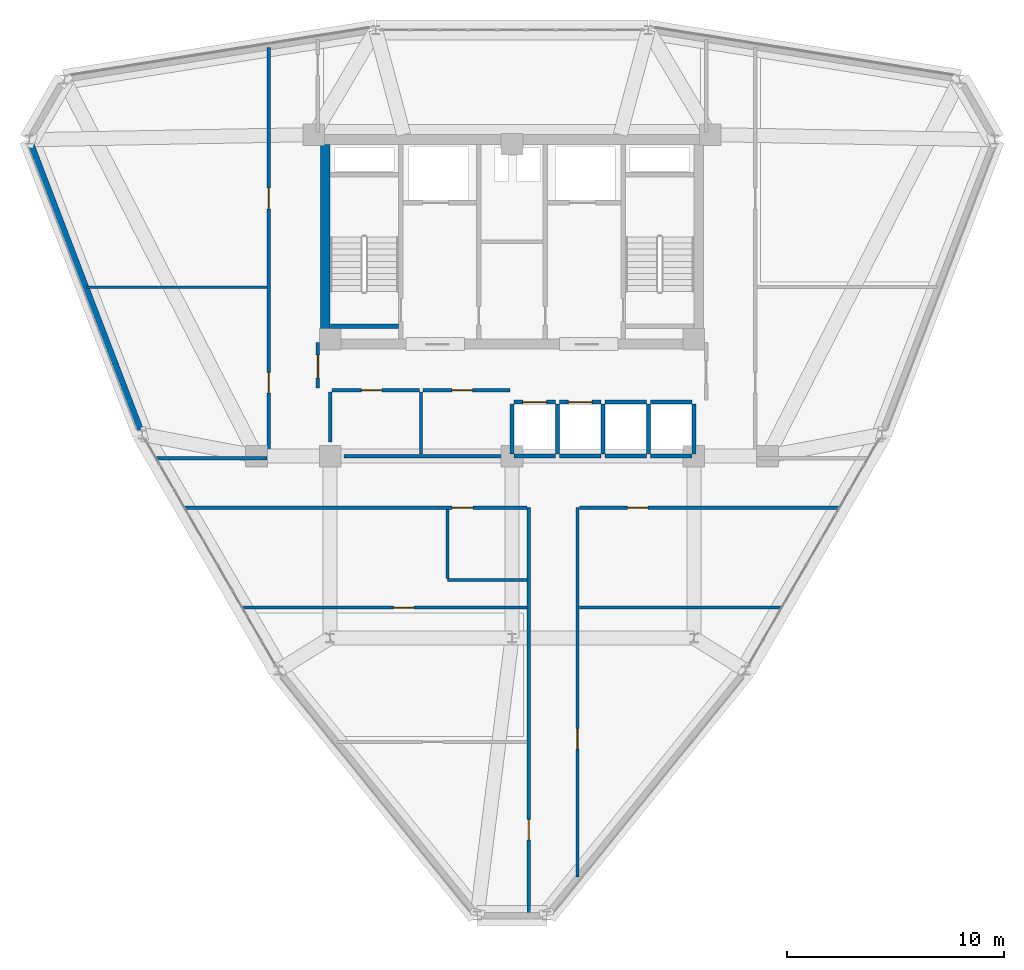
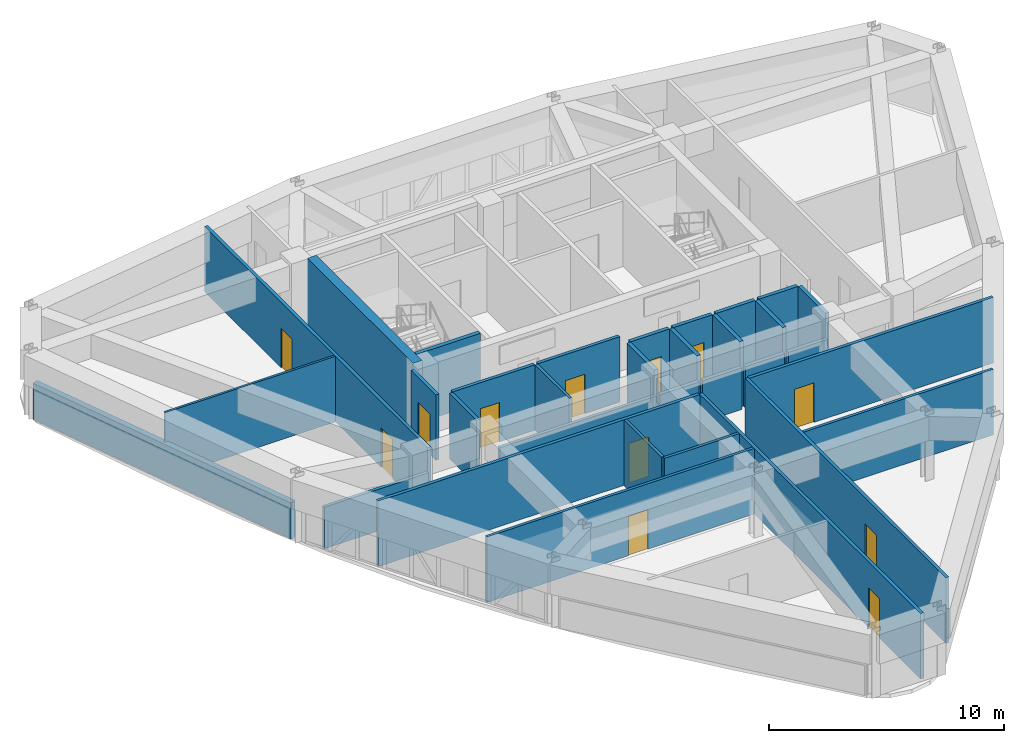
# One storey, part 10 of 14: 33 walls, 12 doors, 12 openings.
"""IFC4 building model written with IfcOpenShell, lengths in metres."""

from ifc_helpers import new_model, si_unit, derived_unit, direction, frame, frame_2d, origin, place, context, subcontext, project, spatial, rectangle, extrude, material, layer, layer_set, type_object, element, fill, save


model = new_model("IFC4")

# Units and contexts
model_context = context("Model", 3, precision=1e-05, world=origin(), true_north=direction((0.0, 1.0)))
body_context = subcontext(model_context, "Body", "Model", "MODEL_VIEW")
ifc_project = project(units=[si_unit("LENGTHUNIT", "METRE"), si_unit("AREAUNIT", "SQUARE_METRE"), si_unit("VOLUMEUNIT", "CUBIC_METRE"), si_unit("PLANEANGLEUNIT", "RADIAN"), si_unit("MASSUNIT", "GRAM", prefix="KILO"), derived_unit("THERMALTRANSMITTANCEUNIT", [(si_unit("POWERUNIT", "WATT"), 1), (si_unit("LENGTHUNIT", "METRE"), -2), (si_unit("THERMODYNAMICTEMPERATUREUNIT", "KELVIN"), -1)])], contexts=[model_context])

# Site, building, storey
site_placement = place(None, origin())
site = spatial("IfcSite", under=ifc_project, at=site_placement, CompositionType="ELEMENT")
building_placement = place(site_placement, origin())
building = spatial("IfcBuilding", under=site, at=building_placement, Name="Korsvarv Bourse and Concert Hall", CompositionType="ELEMENT")
storey_placement = place(building_placement, frame((0.0, 0.0, 186.60009765625)))
storey = spatial("IfcBuildingStorey", under=building, at=storey_placement, Name="L48", CompositionType="ELEMENT", Elevation=186.60009765625)

# Walls
ifc_material_1 = material(Name="Concrete C50/60", Category="concrete")
ifc_layer_1 = layer(ifc_material_1, 0.3798828125)
ifc_layer_set_1 = layer_set([ifc_layer_1], Name="Concrete C50/60")
wall_type_1 = type_object("IfcWallType", Name="WL-CORE-380", PredefinedType="SHEAR", material=ifc_layer_set_1)
wall_1_placement = place(storey_placement, frame((27.610107421875, 38.39990234375, 0.0), z_axis=(0.0, 0.0, 1.0), x_axis=(1.0, 0.0, 0.0)))
element("IfcWall", 1, at=wall_1_placement, inside=storey, type_object=wall_type_1, Name="L48 stair shaft structural wall W-L48-ST1-S", PredefinedType="SHEAR", context=body_context, shape_type="SweptSolid", body=[
    extrude(rectangle(XDim=3.139892578125, YDim=0.199951171875, at=frame_2d((1.56982421875, 0.0))), origin(), (0.0, 0.0, 1.0), 3.599853515625),
])
ifc_material_2 = material(Name="Concrete C55/67", Category="concrete")
ifc_layer_2 = layer(ifc_material_2, 0.449951171875)
ifc_layer_set_2 = layer_set([ifc_layer_2], Name="Concrete C55/67")
wall_type_2 = type_object("IfcWallType", Name="WL-CORE-450", PredefinedType="SHEAR", material=ifc_layer_set_2)
wall_2_placement = place(storey_placement, frame((27.375, 37.800048828125, 0.0), z_axis=(0.0, 0.0, 1.0), x_axis=(0.0, 1.0, 0.0)))
element("IfcWall", 2, at=wall_2_placement, inside=storey, type_object=wall_type_2, Name="L48 West Core Shear Wall", PredefinedType="SHEAR", context=body_context, shape_type="SweptSolid", body=[
    extrude(rectangle(XDim=9.0, YDim=0.449951171875, at=frame_2d((4.5, 0.0))), origin(), (0.0, 0.0, 1.0), 3.599853515625),
])
ifc_material_3 = material(Name="Precast concrete C45/55 with fluted terracotta pier", Category="concrete")
ifc_layer_3 = layer(ifc_material_3, 0.280029296875)
ifc_layer_set_3 = layer_set([ifc_layer_3], Name="Precast concrete C45/55 with fluted terracotta pier")
wall_type_3 = type_object("IfcWallType", Name="WL-EXT-TC2", PredefinedType="SOLIDWALL", material=ifc_layer_set_3)
wall_3_placement = place(storey_placement, frame((13.79150390625, 46.7998046875, 0.0), z_axis=(0.0, 0.0, 1.0), x_axis=(0.358033263681, -0.933708831541, 0.0)))
element("IfcWall", 3, at=wall_3_placement, inside=storey, type_object=wall_type_3, Name="L48 terracotta exterior wall EW-L48-B06", PredefinedType="SOLIDWALL", context=body_context, shape_type="SweptSolid", body=[
    extrude(rectangle(XDim=14.1171875, YDim=0.280029296875, at=frame_2d((7.05859375, 0.0))), origin(), (0.0, 0.0, 1.0), 1.869873046875),
])
ifc_material_4 = material(Name="Double-stud fire-rated acoustic partition", Category="gypsum")
ifc_layer_4 = layer(ifc_material_4, 0.159912109375)
ifc_layer_set_4 = layer_set([ifc_layer_4], Name="Double-stud fire-rated acoustic partition")
wall_type_4 = type_object("IfcWallType", Name="WL-INT-EI60", PredefinedType="PARTITIONING", material=ifc_layer_set_4)
wall_4_placement = place(storey_placement, frame((28.25, 32.39990234375, 0.0), z_axis=(0.0, 0.0, 1.0), x_axis=(1.0, 0.0, 0.0)))
element("IfcWall", 4, at=wall_4_placement, inside=storey, type_object=wall_type_4, Name="L48 interior partition wall W-L48-FRD-S", PredefinedType="PARTITIONING", context=body_context, shape_type="SweptSolid", body=[
    extrude(rectangle(XDim=7.64990234375, YDim=0.159912109375, at=frame_2d((3.824951171875, 0.0))), origin(), (0.0, 0.0, 1.0), 2.159912109375),
])
wall_5_placement = place(storey_placement, frame((27.60009765625, 33.050048828125, 0.0), z_axis=(0.0, 0.0, 1.0), x_axis=(0.0, 1.0, 0.0)))
element("IfcWall", 5, at=wall_5_placement, inside=storey, type_object=wall_type_4, Name="L48 interior partition wall W-L48-FRD-W", PredefinedType="PARTITIONING", context=body_context, shape_type="SweptSolid", body=[
    extrude(rectangle(XDim=2.31005859375, YDim=0.159912109375, at=frame_2d((1.155029296875, 0.0))), origin(), (0.0, 0.0, 1.0), 3.39990234375),
])

# Wall, opening, door
wall_6_placement = place(storey_placement, frame((27.68994140625, 35.449951171875, 0.0), z_axis=(0.0, 0.0, 1.0), x_axis=(1.0, 0.0, 0.0)))
wall_6 = element("IfcWall", 6, at=wall_6_placement, inside=storey, type_object=wall_type_4, Name="L48 interior partition wall W-L48-FRD-N1", PredefinedType="PARTITIONING", context=body_context, shape_type="SweptSolid", body=[
    extrude(rectangle(XDim=4.030029296875, YDim=0.159912109375, at=frame_2d((2.01513671875, 0.0))), origin(), (0.0, 0.0, 1.0), 3.39990234375),
])
opening_1_placement = place(wall_6_placement, frame((1.35009765625, 0.0, 0.0)))
opening_1 = element("IfcOpeningElement", 7, at=opening_1_placement, cuts=wall_6, Name="Opening D-03", PredefinedType="OPENING", context=body_context, shape_type="SweptSolid", body=[
    extrude(rectangle(XDim=0.949951171875, YDim=2.050048828125, at=frame_2d((0.47509765625, 1.02490234375))), frame((0.0, 0.08984375, 0.0), z_axis=(0.0, -1.0, 0.0), x_axis=(1.0, 0.0, 0.0)), (0.0, 0.0, 1.0), 0.179931640625),
])
ifc_material_5 = material(Name="Nordic oak acoustic office door", Category="wood")
door_type_1 = type_object("IfcDoorType", Name="DR-INT-1", OperationType="NOTDEFINED", PredefinedType="DOOR", material=ifc_material_5)
door_1_placement = place(opening_1_placement, origin())
door_1 = element("IfcDoor", 8, at=door_1_placement, inside=storey, type_object=door_type_1, Name="L48 interior door DR-L48-FRDN1", OperationType="SINGLE_SWING_RIGHT", OverallHeight=2.050048828125, OverallWidth=0.949951171875, PredefinedType="DOOR", context=body_context, shape_type="SweptSolid", body=[
    extrude(rectangle(XDim=0.949951171875, YDim=2.050048828125, at=frame_2d((0.47509765625, 1.02490234375))), frame((0.0, 0.02490234375, 0.0), z_axis=(0.0, -1.0, 0.0), x_axis=(1.0, 0.0, 0.0)), (0.0, 0.0, 1.0), 0.050048828125),
])
fill(opening_1, door_1)

wall_7_placement = place(storey_placement, frame((31.8798828125, 35.449951171875, 0.0), z_axis=(0.0, 0.0, 1.0), x_axis=(1.0, 0.0, 0.0)))
wall_7 = element("IfcWall", 9, at=wall_7_placement, inside=storey, type_object=wall_type_4, Name="L48 interior partition wall W-L48-FRD-N2", PredefinedType="PARTITIONING", context=body_context, shape_type="SweptSolid", body=[
    extrude(rectangle(XDim=4.02001953125, YDim=0.159912109375, at=frame_2d((2.010009765625, 0.0))), origin(), (0.0, 0.0, 1.0), 3.39990234375),
])
opening_2_placement = place(wall_7_placement, frame((1.35009765625, 0.0, 0.0)))
opening_2 = element("IfcOpeningElement", 10, at=opening_2_placement, cuts=wall_7, Name="Opening D-03", PredefinedType="OPENING", context=body_context, shape_type="SweptSolid", body=[
    extrude(rectangle(XDim=0.949951171875, YDim=2.050048828125, at=frame_2d((0.47509765625, 1.02490234375))), frame((0.0, 0.08984375, 0.0), z_axis=(0.0, -1.0, 0.0), x_axis=(1.0, 0.0, 0.0)), (0.0, 0.0, 1.0), 0.179931640625),
])
door_2_placement = place(opening_2_placement, origin())
door_2 = element("IfcDoor", 11, at=door_2_placement, inside=storey, type_object=door_type_1, Name="L48 interior door DR-L48-FRDN2", OperationType="SINGLE_SWING_LEFT", OverallHeight=2.050048828125, OverallWidth=0.949951171875, PredefinedType="DOOR", context=body_context, shape_type="SweptSolid", body=[
    extrude(rectangle(XDim=0.949951171875, YDim=2.050048828125, at=frame_2d((0.47509765625, 1.02490234375))), frame((0.0, 0.02490234375, 0.0), z_axis=(0.0, -1.0, 0.0), x_axis=(1.0, 0.0, 0.0)), (0.0, 0.0, 1.0), 0.050048828125),
])
fill(opening_2, door_2)

wall_8_placement = place(storey_placement, frame((27.0400390625, 35.5400390625, 0.0), z_axis=(0.0, 0.0, 1.0), x_axis=(0.0, 1.0, 0.0)))
wall_8 = element("IfcWall", 12, at=wall_8_placement, inside=storey, type_object=wall_type_4, Name="L48 interior partition wall W-L48-LOB-WL", PredefinedType="PARTITIONING", context=body_context, shape_type="SweptSolid", body=[
    extrude(rectangle(XDim=2.10986328125, YDim=0.159912109375, at=frame_2d((1.054931640625, 0.0))), origin(), (0.0, 0.0, 1.0), 3.39990234375),
])
opening_3_placement = place(wall_8_placement, frame((0.47998046875, 0.0, 0.0)))
opening_3 = element("IfcOpeningElement", 13, at=opening_3_placement, cuts=wall_8, Name="Opening D-01", PredefinedType="OPENING", context=body_context, shape_type="SweptSolid", body=[
    extrude(rectangle(XDim=1.050048828125, YDim=2.10009765625, at=frame_2d((0.52490234375, 1.050048828125))), frame((0.0, 0.08984375, 0.0), z_axis=(0.0, -1.0, 0.0), x_axis=(1.0, 0.0, 0.0)), (0.0, 0.0, 1.0), 0.179931640625),
])
ifc_material_6 = material(Name="Steel S355 fire door", Category="steel")
door_type_2 = type_object("IfcDoorType", Name="DR-FD60", OperationType="NOTDEFINED", PredefinedType="DOOR", material=ifc_material_6)
door_3_placement = place(opening_3_placement, frame((1.050048828125, 0.0, 0.0), z_axis=(0.0, 0.0, 1.0), x_axis=(-1.0, 0.0, 0.0)))
door_3 = element("IfcDoor", 14, at=door_3_placement, inside=storey, type_object=door_type_2, Name="L48 interior door DR-L48-LOBW", OperationType="SINGLE_SWING_RIGHT", OverallHeight=2.10009765625, OverallWidth=1.050048828125, PredefinedType="DOOR", context=body_context, shape_type="SweptSolid", body=[
    extrude(rectangle(XDim=1.050048828125, YDim=2.10009765625, at=frame_2d((0.52490234375, 1.050048828125))), frame((0.0, 0.02490234375, 0.0), z_axis=(0.0, -1.0, 0.0), x_axis=(1.0, 0.0, 0.0)), (0.0, 0.0, 1.0), 0.050048828125),
])
fill(opening_3, door_3)

# Wall, openings, doors
wall_9_placement = place(storey_placement, frame((24.77490234375, 32.31005859375, 0.0), z_axis=(0.0, 0.0, 1.0), x_axis=(0.0, 1.0, 0.0)))
wall_9 = element("IfcWall", 15, at=wall_9_placement, inside=storey, type_object=wall_type_4, Name="L48 interior partition wall W-L48-TCOR-02", PredefinedType="PARTITIONING", context=body_context, shape_type="SweptSolid", body=[
    extrude(rectangle(XDim=18.96875, YDim=0.159912109375, at=frame_2d((9.484375, 0.0))), origin(), (0.0, 0.0, 1.0), 3.39990234375),
])
opening_4_placement = place(wall_9_placement, frame((3.008056640625, 0.0, 0.0)))
opening_4 = element("IfcOpeningElement", 16, at=opening_4_placement, cuts=wall_9, Name="Opening D-02", PredefinedType="OPENING", context=body_context, shape_type="SweptSolid", body=[
    extrude(rectangle(XDim=0.949951171875, YDim=2.050048828125, at=frame_2d((0.47509765625, 1.02490234375))), frame((0.0, 0.08984375, 0.0), z_axis=(0.0, -1.0, 0.0), x_axis=(1.0, 0.0, 0.0)), (0.0, 0.0, 1.0), 0.179931640625),
])
opening_5_placement = place(wall_9_placement, frame((11.512939453125, 0.0, 0.0)))
opening_5 = element("IfcOpeningElement", 17, at=opening_5_placement, cuts=wall_9, Name="Opening D-02", PredefinedType="OPENING", context=body_context, shape_type="SweptSolid", body=[
    extrude(rectangle(XDim=0.949951171875, YDim=2.050048828125, at=frame_2d((0.47509765625, 1.02490234375))), frame((0.0, 0.08984375, 0.0), z_axis=(0.0, -1.0, 0.0), x_axis=(1.0, 0.0, 0.0)), (0.0, 0.0, 1.0), 0.179931640625),
])
ifc_material_7 = material(Name="Timber and steel acoustic fire door", Category="wood")
door_type_3 = type_object("IfcDoorType", Name="DR-FD30", OperationType="NOTDEFINED", PredefinedType="DOOR", material=ifc_material_7)
door_4_placement = place(opening_4_placement, origin())
door_4 = element("IfcDoor", 18, at=door_4_placement, inside=storey, type_object=door_type_3, Name="L48 interior door DR-L48-TCOR-AR79", OperationType="SINGLE_SWING_RIGHT", OverallHeight=2.050048828125, OverallWidth=0.949951171875, PredefinedType="DOOR", context=body_context, shape_type="SweptSolid", body=[
    extrude(rectangle(XDim=0.949951171875, YDim=2.050048828125, at=frame_2d((0.47509765625, 1.02490234375))), frame((0.0, 0.02490234375, 0.0), z_axis=(0.0, -1.0, 0.0), x_axis=(1.0, 0.0, 0.0)), (0.0, 0.0, 1.0), 0.050048828125),
])
fill(opening_4, door_4)
door_5_placement = place(opening_5_placement, origin())
door_5 = element("IfcDoor", 19, at=door_5_placement, inside=storey, type_object=door_type_3, Name="L48 interior door DR-L48-TCOR-RM1010", OperationType="SINGLE_SWING_LEFT", OverallHeight=2.050048828125, OverallWidth=0.949951171875, PredefinedType="DOOR", context=body_context, shape_type="SweptSolid", body=[
    extrude(rectangle(XDim=0.949951171875, YDim=2.050048828125, at=frame_2d((0.47509765625, 1.02490234375))), frame((0.0, 0.02490234375, 0.0), z_axis=(0.0, -1.0, 0.0), x_axis=(1.0, 0.0, 0.0)), (0.0, 0.0, 1.0), 0.050048828125),
])
fill(opening_5, door_5)

# Wall, opening, door
wall_10_placement = place(storey_placement, frame((36.77490234375, 11.20947265625, 0.0), z_axis=(0.0, 0.0, 1.0), x_axis=(0.0, 1.0, 0.0)))
wall_10 = element("IfcWall", 20, at=wall_10_placement, inside=storey, type_object=wall_type_4, Name="L48 interior partition wall W-L48-TCOR-03", PredefinedType="PARTITIONING", context=body_context, shape_type="SweptSolid", body=[
    extrude(rectangle(XDim=18.820556640625, YDim=0.159912109375, at=frame_2d((9.41015625, 0.0))), origin(), (0.0, 0.0, 1.0), 3.39990234375),
])
opening_6_placement = place(wall_10_placement, frame((3.47021484375, 0.0, 0.0)))
opening_6 = element("IfcOpeningElement", 21, at=opening_6_placement, cuts=wall_10, Name="Opening D-02", PredefinedType="OPENING", context=body_context, shape_type="SweptSolid", body=[
    extrude(rectangle(XDim=0.949951171875, YDim=2.050048828125, at=frame_2d((0.47509765625, 1.02490234375))), frame((0.0, 0.08984375, 0.0), z_axis=(0.0, -1.0, 0.0), x_axis=(1.0, 0.0, 0.0)), (0.0, 0.0, 1.0), 0.179931640625),
])
door_6_placement = place(opening_6_placement, origin())
door_6 = element("IfcDoor", 22, at=door_6_placement, inside=storey, type_object=door_type_3, Name="L48 interior door DR-L48-TCOR-AR56", OperationType="SINGLE_SWING_RIGHT", OverallHeight=2.050048828125, OverallWidth=0.949951171875, PredefinedType="DOOR", context=body_context, shape_type="SweptSolid", body=[
    extrude(rectangle(XDim=0.949951171875, YDim=2.050048828125, at=frame_2d((0.47509765625, 1.02490234375))), frame((0.0, 0.02490234375, 0.0), z_axis=(0.0, -1.0, 0.0), x_axis=(1.0, 0.0, 0.0)), (0.0, 0.0, 1.0), 0.050048828125),
])
fill(opening_6, door_6)

wall_11_placement = place(storey_placement, frame((39.02490234375, 12.95849609375, 0.0), z_axis=(0.0, 0.0, 1.0), x_axis=(0.0, 1.0, 0.0)))
wall_11 = element("IfcWall", 23, at=wall_11_placement, inside=storey, type_object=wall_type_4, Name="L48 interior partition wall W-L48-TCOR-04", PredefinedType="PARTITIONING", context=body_context, shape_type="SweptSolid", body=[
    extrude(rectangle(XDim=17.071533203125, YDim=0.159912109375, at=frame_2d((8.53564453125, 0.0))), origin(), (0.0, 0.0, 1.0), 3.39990234375),
])
opening_7_placement = place(wall_11_placement, frame((5.908203125, 0.0, 0.0)))
opening_7 = element("IfcOpeningElement", 24, at=opening_7_placement, cuts=wall_11, Name="Opening D-02", PredefinedType="OPENING", context=body_context, shape_type="SweptSolid", body=[
    extrude(rectangle(XDim=0.949951171875, YDim=2.050048828125, at=frame_2d((0.47509765625, 1.02490234375))), frame((0.0, 0.08984375, 0.0), z_axis=(0.0, -1.0, 0.0), x_axis=(1.0, 0.0, 0.0)), (0.0, 0.0, 1.0), 0.179931640625),
])
door_7_placement = place(opening_7_placement, origin())
door_7 = element("IfcDoor", 25, at=door_7_placement, inside=storey, type_object=door_type_3, Name="L48 interior door DR-L48-TCOR-AR43", OperationType="SINGLE_SWING_LEFT", OverallHeight=2.050048828125, OverallWidth=0.949951171875, PredefinedType="DOOR", context=body_context, shape_type="SweptSolid", body=[
    extrude(rectangle(XDim=0.949951171875, YDim=2.050048828125, at=frame_2d((0.47509765625, 1.02490234375))), frame((0.0, 0.02490234375, 0.0), z_axis=(0.0, -1.0, 0.0), x_axis=(1.0, 0.0, 0.0)), (0.0, 0.0, 1.0), 0.050048828125),
])
fill(opening_7, door_7)

wall_12_placement = place(storey_placement, frame((20.8994140625, 30.02490234375, 0.0), z_axis=(0.0, 0.0, 1.0), x_axis=(1.0, 0.0, 0.0)))
wall_12 = element("IfcWall", 26, at=wall_12_placement, inside=storey, type_object=wall_type_4, Name="L48 interior partition wall W-L48-TCOR-05", PredefinedType="PARTITIONING", context=body_context, shape_type="SweptSolid", body=[
    extrude(rectangle(XDim=15.793701171875, YDim=0.159912109375, at=frame_2d((7.89697265625, 0.0))), origin(), (0.0, 0.0, 1.0), 3.39990234375),
])
opening_8_placement = place(wall_12_placement, frame((12.3408203125, 0.0, 0.0)))
opening_8 = element("IfcOpeningElement", 27, at=opening_8_placement, cuts=wall_12, Name="Opening D-02", PredefinedType="OPENING", context=body_context, shape_type="SweptSolid", body=[
    extrude(rectangle(XDim=0.949951171875, YDim=2.050048828125, at=frame_2d((0.47509765625, 1.02490234375))), frame((0.0, 0.08984375, 0.0), z_axis=(0.0, -1.0, 0.0), x_axis=(1.0, 0.0, 0.0)), (0.0, 0.0, 1.0), 0.179931640625),
])
door_8_placement = place(opening_8_placement, origin())
door_8 = element("IfcDoor", 28, at=door_8_placement, inside=storey, type_object=door_type_3, Name="L48 interior door DR-L48-TCOR-RWC", OperationType="SINGLE_SWING_RIGHT", OverallHeight=2.050048828125, OverallWidth=0.949951171875, PredefinedType="DOOR", context=body_context, shape_type="SweptSolid", body=[
    extrude(rectangle(XDim=0.949951171875, YDim=2.050048828125, at=frame_2d((0.47509765625, 1.02490234375))), frame((0.0, 0.02490234375, 0.0), z_axis=(0.0, -1.0, 0.0), x_axis=(1.0, 0.0, 0.0)), (0.0, 0.0, 1.0), 0.050048828125),
])
fill(opening_8, door_8)

wall_13_placement = place(storey_placement, frame((39.10693359375, 30.02490234375, 0.0), z_axis=(0.0, 0.0, 1.0), x_axis=(1.0, 0.0, 0.0)))
wall_13 = element("IfcWall", 29, at=wall_13_placement, inside=storey, type_object=wall_type_4, Name="L48 interior partition wall W-L48-TCOR-06", PredefinedType="PARTITIONING", context=body_context, shape_type="SweptSolid", body=[
    extrude(rectangle(XDim=11.99365234375, YDim=0.159912109375, at=frame_2d((5.996826171875, 0.0))), origin(), (0.0, 0.0, 1.0), 3.39990234375),
])
opening_9_placement = place(wall_13_placement, frame((2.2255859375, 0.0, 0.0)))
opening_9 = element("IfcOpeningElement", 30, at=opening_9_placement, cuts=wall_13, Name="Opening D-02", PredefinedType="OPENING", context=body_context, shape_type="SweptSolid", body=[
    extrude(rectangle(XDim=0.949951171875, YDim=2.050048828125, at=frame_2d((0.47509765625, 1.02490234375))), frame((0.0, 0.08984375, 0.0), z_axis=(0.0, -1.0, 0.0), x_axis=(1.0, 0.0, 0.0)), (0.0, 0.0, 1.0), 0.179931640625),
])
door_9_placement = place(opening_9_placement, origin())
door_9 = element("IfcDoor", 31, at=door_9_placement, inside=storey, type_object=door_type_3, Name="L48 interior door DR-L48-TCOR-AR24", OperationType="SINGLE_SWING_LEFT", OverallHeight=2.050048828125, OverallWidth=0.949951171875, PredefinedType="DOOR", context=body_context, shape_type="SweptSolid", body=[
    extrude(rectangle(XDim=0.949951171875, YDim=2.050048828125, at=frame_2d((0.47509765625, 1.02490234375))), frame((0.0, 0.02490234375, 0.0), z_axis=(0.0, -1.0, 0.0), x_axis=(1.0, 0.0, 0.0)), (0.0, 0.0, 1.0), 0.050048828125),
])
fill(opening_9, door_9)

# Wall
wall_14_placement = place(storey_placement, frame((19.5771484375, 32.31494140625, 0.0), z_axis=(0.0, 0.0, 1.0), x_axis=(1.0, 0.0, 0.0)))
element("IfcWall", 32, at=wall_14_placement, inside=storey, type_object=wall_type_4, Name="L48 interior partition wall W-L48-TCOR-08", PredefinedType="PARTITIONING", context=body_context, shape_type="SweptSolid", body=[
    extrude(rectangle(XDim=5.115966796875, YDim=0.159912109375, at=frame_2d((2.55810546875, 0.0))), origin(), (0.0, 0.0, 1.0), 2.159912109375),
])

# Wall, opening, door
ifc_material_8 = material(Name="Gypsum-clad autoclaved concrete shaft wall C30/37", Category="concrete")
ifc_layer_5 = layer(ifc_material_8, 0.179931640625)
ifc_layer_set_5 = layer_set([ifc_layer_5], Name="Gypsum-clad autoclaved concrete shaft wall C30/37")
wall_type_5 = type_object("IfcWallType", Name="WL-INT-EI90", PredefinedType="PARTITIONING", material=ifc_layer_set_5)
wall_15_placement = place(storey_placement, frame((36.090087890625, 34.89990234375, 0.0), z_axis=(0.0, 0.0, 1.0), x_axis=(1.0, 0.0, 0.0)))
wall_15 = element("IfcWall", 33, at=wall_15_placement, inside=storey, type_object=wall_type_5, Name="L48 interior partition wall W-L48-SHFN-PH1", PredefinedType="PARTITIONING", context=body_context, shape_type="SweptSolid", body=[
    extrude(rectangle(XDim=1.919921875, YDim=0.179931640625, at=frame_2d((0.9599609375, 0.0))), origin(), (0.0, 0.0, 1.0), 3.39990234375),
])
opening_10_placement = place(wall_15_placement, frame((0.409912109375, 0.0, 0.0)))
opening_10 = element("IfcOpeningElement", 34, at=opening_10_placement, cuts=wall_15, Name="Opening LD-2", PredefinedType="OPENING", context=body_context, shape_type="SweptSolid", body=[
    extrude(rectangle(XDim=1.10009765625, YDim=2.10009765625, at=frame_2d((0.550048828125, 1.050048828125))), frame((0.0, 0.10009765625, 0.0), z_axis=(0.0, -1.0, 0.0), x_axis=(1.0, 0.0, 0.0)), (0.0, 0.0, 1.0), 0.199951171875),
])
ifc_material_9 = material(Name="Brushed stainless Steel S355 lift landing door", Category="steel")
door_type_4 = type_object("IfcDoorType", Name="DR-LIFT-P", OperationType="DOUBLE_DOOR_SLIDING", PredefinedType="DOOR", material=ifc_material_9)
door_10_placement = place(opening_10_placement, origin())
door_10 = element("IfcDoor", 35, at=door_10_placement, inside=storey, type_object=door_type_4, Name="L48 lift sliding landing door LD-L48-PH1", OperationType="DOUBLE_DOOR_SLIDING", OverallHeight=2.10009765625, OverallWidth=1.10009765625, PredefinedType="DOOR", context=body_context, shape_type="SweptSolid", body=[
    extrude(rectangle(XDim=1.10009765625, YDim=2.10009765625, at=frame_2d((0.550048828125, 1.050048828125))), frame((0.0, 0.02490234375, 0.0), z_axis=(0.0, -1.0, 0.0), x_axis=(1.0, 0.0, 0.0)), (0.0, 0.0, 1.0), 0.050048828125),
])
fill(opening_10, door_10)

# Walls
wall_16_placement = place(storey_placement, frame((36.090087890625, 32.39990234375, 0.0), z_axis=(0.0, 0.0, 1.0), x_axis=(1.0, 0.0, 0.0)))
element("IfcWall", 36, at=wall_16_placement, inside=storey, type_object=wall_type_5, Name="L48 interior partition wall W-L48-SHFS-PH1", PredefinedType="PARTITIONING", context=body_context, shape_type="SweptSolid", body=[
    extrude(rectangle(XDim=1.919921875, YDim=0.179931640625, at=frame_2d((0.9599609375, 0.0))), origin(), (0.0, 0.0, 1.0), 2.159912109375),
])
wall_17_placement = place(storey_placement, frame((36.0, 32.489990234375, 0.0), z_axis=(0.0, 0.0, 1.0), x_axis=(0.0, 1.0, 0.0)))
element("IfcWall", 37, at=wall_17_placement, inside=storey, type_object=wall_type_5, Name="L48 interior partition wall W-L48-SHFW-PH1", PredefinedType="PARTITIONING", context=body_context, shape_type="SweptSolid", body=[
    extrude(rectangle(XDim=2.320068359375, YDim=0.179931640625, at=frame_2d((1.16015625, 0.0))), origin(), (0.0, 0.0, 1.0), 3.39990234375),
])

# Wall, opening, door
wall_18_placement = place(storey_placement, frame((38.18994140625, 34.89990234375, 0.0), z_axis=(0.0, 0.0, 1.0), x_axis=(1.0, 0.0, 0.0)))
wall_18 = element("IfcWall", 38, at=wall_18_placement, inside=storey, type_object=wall_type_5, Name="L48 interior partition wall W-L48-SHFN-PH2", PredefinedType="PARTITIONING", context=body_context, shape_type="SweptSolid", body=[
    extrude(rectangle(XDim=1.920166015625, YDim=0.179931640625, at=frame_2d((0.9599609375, 0.0))), origin(), (0.0, 0.0, 1.0), 3.39990234375),
])
opening_11_placement = place(wall_18_placement, frame((0.409912109375, 0.0, 0.0)))
opening_11 = element("IfcOpeningElement", 39, at=opening_11_placement, cuts=wall_18, Name="Opening LD-2", PredefinedType="OPENING", context=body_context, shape_type="SweptSolid", body=[
    extrude(rectangle(XDim=1.10009765625, YDim=2.10009765625, at=frame_2d((0.550048828125, 1.050048828125))), frame((0.0, 0.10009765625, 0.0), z_axis=(0.0, -1.0, 0.0), x_axis=(1.0, 0.0, 0.0)), (0.0, 0.0, 1.0), 0.199951171875),
])
door_11_placement = place(opening_11_placement, origin())
door_11 = element("IfcDoor", 40, at=door_11_placement, inside=storey, type_object=door_type_4, Name="L48 lift sliding landing door LD-L48-PH2", OperationType="DOUBLE_DOOR_SLIDING", OverallHeight=2.10009765625, OverallWidth=1.10009765625, PredefinedType="DOOR", context=body_context, shape_type="SweptSolid", body=[
    extrude(rectangle(XDim=1.10009765625, YDim=2.10009765625, at=frame_2d((0.550048828125, 1.050048828125))), frame((0.0, 0.02490234375, 0.0), z_axis=(0.0, -1.0, 0.0), x_axis=(1.0, 0.0, 0.0)), (0.0, 0.0, 1.0), 0.050048828125),
])
fill(opening_11, door_11)

# Walls
wall_19_placement = place(storey_placement, frame((38.18994140625, 32.39990234375, 0.0), z_axis=(0.0, 0.0, 1.0), x_axis=(1.0, 0.0, 0.0)))
element("IfcWall", 41, at=wall_19_placement, inside=storey, type_object=wall_type_5, Name="L48 interior partition wall W-L48-SHFS-PH2", PredefinedType="PARTITIONING", context=body_context, shape_type="SweptSolid", body=[
    extrude(rectangle(XDim=1.920166015625, YDim=0.179931640625, at=frame_2d((0.9599609375, 0.0))), origin(), (0.0, 0.0, 1.0), 2.159912109375),
])
wall_20_placement = place(storey_placement, frame((38.10009765625, 32.489990234375, 0.0), z_axis=(0.0, 0.0, 1.0), x_axis=(0.0, 1.0, 0.0)))
element("IfcWall", 42, at=wall_20_placement, inside=storey, type_object=wall_type_5, Name="L48 interior partition wall W-L48-SHFW-PH2", PredefinedType="PARTITIONING", context=body_context, shape_type="SweptSolid", body=[
    extrude(rectangle(XDim=2.320068359375, YDim=0.179931640625, at=frame_2d((1.16015625, 0.0))), origin(), (0.0, 0.0, 1.0), 3.39990234375),
])
wall_21_placement = place(storey_placement, frame((40.2900390625, 34.89990234375, 0.0), z_axis=(0.0, 0.0, 1.0), x_axis=(1.0, 0.0, 0.0)))
element("IfcWall", 43, at=wall_21_placement, inside=storey, type_object=wall_type_5, Name="L48 interior partition wall W-L48-SHFN-PO1", PredefinedType="PARTITIONING", context=body_context, shape_type="SweptSolid", body=[
    extrude(rectangle(XDim=1.919921875, YDim=0.179931640625, at=frame_2d((0.9599609375, 0.0))), origin(), (0.0, 0.0, 1.0), 3.39990234375),
])
wall_22_placement = place(storey_placement, frame((40.2900390625, 32.39990234375, 0.0), z_axis=(0.0, 0.0, 1.0), x_axis=(1.0, 0.0, 0.0)))
element("IfcWall", 44, at=wall_22_placement, inside=storey, type_object=wall_type_5, Name="L48 interior partition wall W-L48-SHFS-PO1", PredefinedType="PARTITIONING", context=body_context, shape_type="SweptSolid", body=[
    extrude(rectangle(XDim=1.919921875, YDim=0.179931640625, at=frame_2d((0.9599609375, 0.0))), origin(), (0.0, 0.0, 1.0), 2.159912109375),
])
wall_23_placement = place(storey_placement, frame((40.199951171875, 32.489990234375, 0.0), z_axis=(0.0, 0.0, 1.0), x_axis=(0.0, 1.0, 0.0)))
element("IfcWall", 45, at=wall_23_placement, inside=storey, type_object=wall_type_5, Name="L48 interior partition wall W-L48-SHFW-PO1", PredefinedType="PARTITIONING", context=body_context, shape_type="SweptSolid", body=[
    extrude(rectangle(XDim=2.320068359375, YDim=0.179931640625, at=frame_2d((1.16015625, 0.0))), origin(), (0.0, 0.0, 1.0), 3.39990234375),
])
wall_24_placement = place(storey_placement, frame((42.389892578125, 34.89990234375, 0.0), z_axis=(0.0, 0.0, 1.0), x_axis=(1.0, 0.0, 0.0)))
element("IfcWall", 46, at=wall_24_placement, inside=storey, type_object=wall_type_5, Name="L48 interior partition wall W-L48-SHFN-PO2", PredefinedType="PARTITIONING", context=body_context, shape_type="SweptSolid", body=[
    extrude(rectangle(XDim=1.920166015625, YDim=0.179931640625, at=frame_2d((0.9599609375, 0.0))), origin(), (0.0, 0.0, 1.0), 3.39990234375),
])
wall_25_placement = place(storey_placement, frame((42.389892578125, 32.39990234375, 0.0), z_axis=(0.0, 0.0, 1.0), x_axis=(1.0, 0.0, 0.0)))
element("IfcWall", 47, at=wall_25_placement, inside=storey, type_object=wall_type_5, Name="L48 interior partition wall W-L48-SHFS-PO2", PredefinedType="PARTITIONING", context=body_context, shape_type="SweptSolid", body=[
    extrude(rectangle(XDim=1.920166015625, YDim=0.179931640625, at=frame_2d((0.9599609375, 0.0))), origin(), (0.0, 0.0, 1.0), 2.159912109375),
])
for number, where, z_axis, x_axis, name in (
    (48, (42.300048828125, 32.489990234375, 0.0), (0.0, 0.0, 1.0), (0.0, 1.0, 0.0), "L48 interior partition wall W-L48-SHFW-PO2"),
    (49, (44.39990234375, 32.489990234375, 0.0), (0.0, 0.0, 1.0), (0.0, 1.0, 0.0), "L48 interior partition wall W-L48-SHFE-END"),
):
    element("IfcWall", number, at=place(storey_placement, frame(where, z_axis=z_axis, x_axis=x_axis)), inside=storey, type_object=wall_type_5, Name=name, PredefinedType="PARTITIONING", context=body_context, shape_type="SweptSolid", body=[
        extrude(rectangle(XDim=2.320068359375, YDim=0.179931640625, at=frame_2d((1.16015625, 0.0))), origin(), (0.0, 0.0, 1.0), 3.39990234375),
    ])
ifc_material_10 = material(Name="Demountable acoustic glass and aluminium dealing partition", Category="aluminium")
ifc_layer_6 = layer(ifc_material_10, 0.110107421875)
ifc_layer_set_6 = layer_set([ifc_layer_6], Name="Demountable acoustic glass and aluminium dealing partition")
wall_type_6 = type_object("IfcWallType", Name="WL-INT-MOV", PredefinedType="MOVABLE", material=ifc_layer_set_6)
wall_26_placement = place(storey_placement, frame((16.34033203125, 40.205078125, 0.0), z_axis=(0.0, 0.0, 1.0), x_axis=(1.0, 0.0, 0.0)))
element("IfcWall", 50, at=wall_26_placement, inside=storey, type_object=wall_type_6, Name="L48 interior partition wall W-L48-TCOR-15", PredefinedType="MOVABLE", context=body_context, shape_type="SweptSolid", body=[
    extrude(rectangle(XDim=8.352783203125, YDim=0.110107421875, at=frame_2d((4.17626953125, 0.0))), origin(), (0.0, 0.0, 1.0), 3.39990234375),
])
ifc_material_11 = material(Name="Insulated steel-stud office acoustic partition", Category="gypsum")
ifc_layer_7 = layer(ifc_material_11, 0.139892578125)
ifc_layer_set_7 = layer_set([ifc_layer_7], Name="Insulated steel-stud office acoustic partition")
wall_type_7 = type_object("IfcWallType", Name="WL-INT-P1", PredefinedType="PARTITIONING", material=ifc_layer_set_7)
wall_27_placement = place(storey_placement, frame((31.800048828125, 32.489990234375, 0.0), z_axis=(0.0, 0.0, 1.0), x_axis=(0.0, 1.0, 0.0)))
element("IfcWall", 51, at=wall_27_placement, inside=storey, type_object=wall_type_7, Name="L48 interior partition wall W-L48-FRD-V", PredefinedType="PARTITIONING", context=body_context, shape_type="SweptSolid", body=[
    extrude(rectangle(XDim=2.8701171875, YDim=0.139892578125, at=frame_2d((1.43505859375, 0.0))), origin(), (0.0, 0.0, 1.0), 3.39990234375),
])

# Wall, opening, door
wall_28_placement = place(storey_placement, frame((23.566650390625, 25.405029296875, 0.0), z_axis=(0.0, 0.0, 1.0), x_axis=(1.0, 0.0, 0.0)))
wall_28 = element("IfcWall", 52, at=wall_28_placement, inside=storey, type_object=wall_type_7, Name="L48 interior partition wall W-L48-TCOR-11", PredefinedType="PARTITIONING", context=body_context, shape_type="SweptSolid", body=[
    extrude(rectangle(XDim=13.12646484375, YDim=0.139892578125, at=frame_2d((6.563232421875, 0.0))), origin(), (0.0, 0.0, 1.0), 3.39990234375),
])
opening_12_placement = place(wall_28_placement, frame((6.95458984375, 0.0, 0.0)))
opening_12 = element("IfcOpeningElement", 53, at=opening_12_placement, cuts=wall_28, Name="Opening D-03", PredefinedType="OPENING", context=body_context, shape_type="SweptSolid", body=[
    extrude(rectangle(XDim=0.949951171875, YDim=2.050048828125, at=frame_2d((0.47509765625, 1.02490234375))), frame((0.0, 0.080078125, 0.0), z_axis=(0.0, -1.0, 0.0), x_axis=(1.0, 0.0, 0.0)), (0.0, 0.0, 1.0), 0.159912109375),
])
door_12_placement = place(opening_12_placement, origin())
door_12 = element("IfcDoor", 54, at=door_12_placement, inside=storey, type_object=door_type_1, Name="L48 interior door DR-L48-TCOR-AR18", OperationType="SINGLE_SWING_LEFT", OverallHeight=2.050048828125, OverallWidth=0.949951171875, PredefinedType="DOOR", context=body_context, shape_type="SweptSolid", body=[
    extrude(rectangle(XDim=0.949951171875, YDim=2.050048828125, at=frame_2d((0.47509765625, 1.02490234375))), frame((0.0, 0.02490234375, 0.0), z_axis=(0.0, -1.0, 0.0), x_axis=(1.0, 0.0, 0.0)), (0.0, 0.0, 1.0), 0.050048828125),
])
fill(opening_12, door_12)

# Walls
wall_29_placement = place(storey_placement, frame((39.10693359375, 25.405029296875, 0.0), z_axis=(0.0, 0.0, 1.0), x_axis=(1.0, 0.0, 0.0)))
element("IfcWall", 55, at=wall_29_placement, inside=storey, type_object=wall_type_7, Name="L48 interior partition wall W-L48-TCOR-12", PredefinedType="PARTITIONING", context=body_context, shape_type="SweptSolid", body=[
    extrude(rectangle(XDim=9.326416015625, YDim=0.139892578125, at=frame_2d((4.6630859375, 0.0))), origin(), (0.0, 0.0, 1.0), 3.39990234375),
])
wall_30_placement = place(storey_placement, frame((33.02001953125, 26.675048828125, 0.0), z_axis=(0.0, 0.0, 1.0), x_axis=(1.0, 0.0, 0.0)))
element("IfcWall", 56, at=wall_30_placement, inside=storey, type_object=wall_type_7, Name="L48 interior partition wall W-L48-TCOR-16", PredefinedType="PARTITIONING", context=body_context, shape_type="SweptSolid", body=[
    extrude(rectangle(XDim=3.673095703125, YDim=0.139892578125, at=frame_2d((1.83642578125, 0.0))), origin(), (0.0, 0.0, 1.0), 3.39990234375),
])
wall_31_placement = place(storey_placement, frame((33.02490234375, 26.7470703125, 0.0), z_axis=(0.0, 0.0, 1.0), x_axis=(0.0, 1.0, 0.0)))
element("IfcWall", 57, at=wall_31_placement, inside=storey, type_object=wall_type_7, Name="L48 interior partition wall W-L48-TCOR-17", PredefinedType="PARTITIONING", context=body_context, shape_type="SweptSolid", body=[
    extrude(rectangle(XDim=3.196044921875, YDim=0.139892578125, at=frame_2d((1.59814453125, 0.0))), origin(), (0.0, 0.0, 1.0), 3.39990234375),
])

save(model, "model.ifc")
